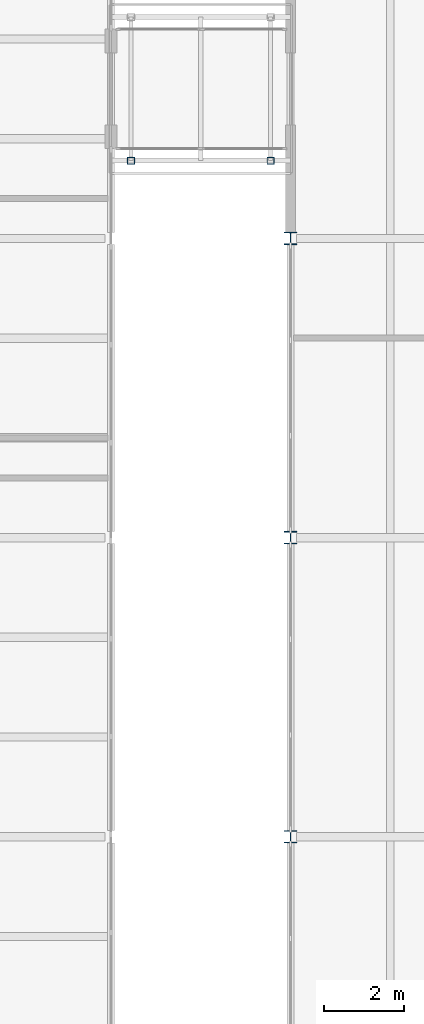
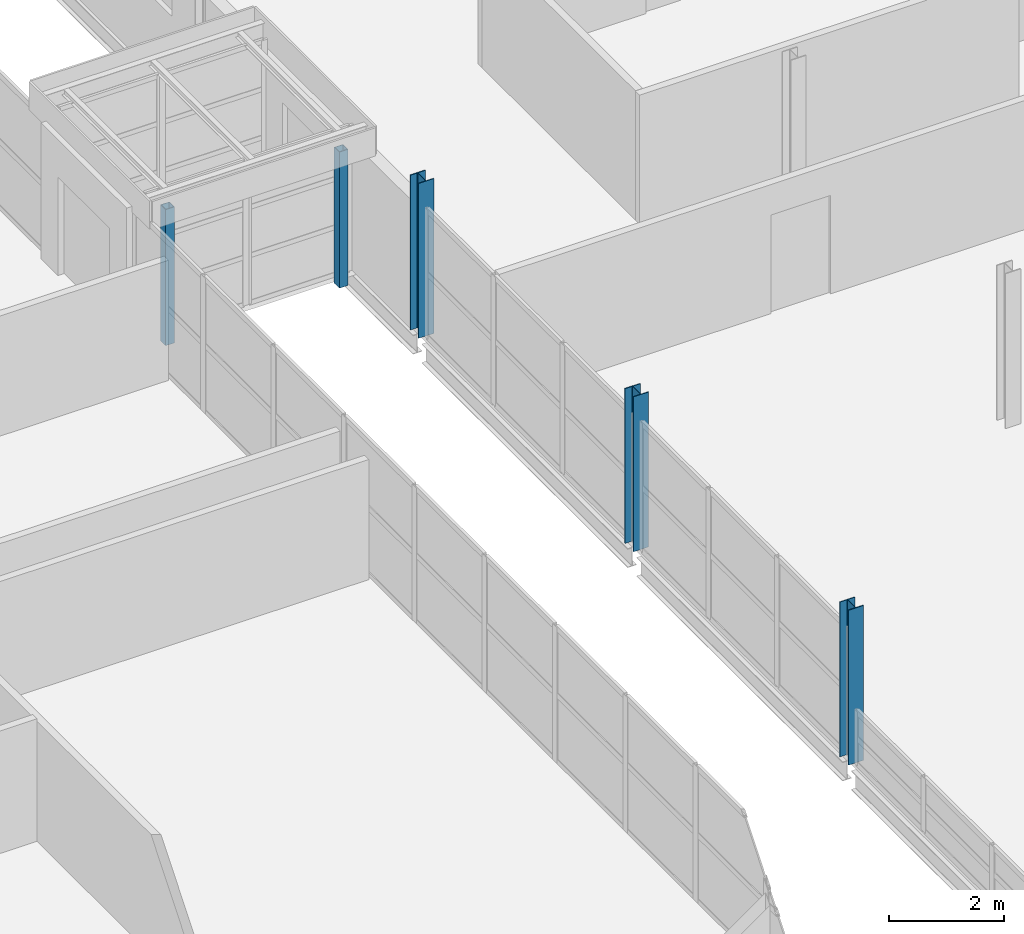
# One storey, part 7 of 214: 5 columns.
"""IFC4 building model written with IfcOpenShell, lengths in metres."""

from ifc_helpers import new_model, si_unit, direction, frame, origin, origin_2d, place, context, subcontext, project, spatial, hollow_rectangle, i_section, extrude, material, material_profile, profile_set, type_object, element, save


model = new_model("IFC4")

# Units and contexts
model_context = context("Model", 3, precision=1e-05, world=origin(), true_north=direction((0.0, 1.0)))
body_context = subcontext(model_context, "Body", "Model", "MODEL_VIEW")
ifc_project = project(units=[si_unit("LENGTHUNIT", "METRE"), si_unit("AREAUNIT", "SQUARE_METRE"), si_unit("VOLUMEUNIT", "CUBIC_METRE"), si_unit("PLANEANGLEUNIT", "RADIAN"), si_unit("MASSUNIT", "GRAM", prefix="KILO")], contexts=[model_context])

# Site, building, storey
site_placement = place(None, origin())
site = spatial("IfcSite", under=ifc_project, at=site_placement, CompositionType="ELEMENT")
building_placement = place(site_placement, origin())
building = spatial("IfcBuilding", under=site, at=building_placement, Name="Parallax Yard Mobility Hub", CompositionType="ELEMENT")
storey_placement = place(building_placement, frame((0.0, 0.0, 3.300048828125)))
storey = spatial("IfcBuildingStorey", under=building, at=storey_placement, Name="L01", CompositionType="ELEMENT", Elevation=3.300048828125)

# Columns
ifc_material_1 = material(Name="Steel ASTM A500 Gr C", Category="steel")
ifc_material_profile_1 = material_profile(ifc_material_1, hollow_rectangle(XDim=0.177734375, YDim=0.177734375, WallThickness=0.009521484375, at=origin_2d()), Name="HSS178x178x9.5")
ifc_profile_set_1 = profile_set([ifc_material_profile_1], Name="Steel ASTM A500 Gr C")
column_type_1 = type_object("IfcColumnType", Name="Roof column HSS178x178x9.5", PredefinedType="COLUMN", material=ifc_profile_set_1)
for number, where, z_axis, x_axis, name in (
    (1, (93.5, 31.949951171875, 0.0), (0.0, 0.0, 1.0), (1.0, 0.0, 0.0), "Bridge BR1 level L01 roof pier 1 at y 31.95 level L01"),
    (2, (97.0, 31.949951171875, 0.0), (0.0, 0.0, 1.0), (1.0, 0.0, 0.0), "Bridge BR1 level L01 roof pier 2 at y 31.95 level L01"),
):
    element("IfcColumn", number, at=place(storey_placement, frame(where, z_axis=z_axis, x_axis=x_axis)), inside=storey, type_object=column_type_1, Name=name, PredefinedType="COLUMN", context=body_context, shape_type="SweptSolid", body=[
        extrude(hollow_rectangle(XDim=0.177734375, YDim=0.177734375, WallThickness=0.009521484375, at=origin_2d()), origin(), (0.0, 0.0, 1.0), 2.89990234375),
    ])
ifc_material_2 = material(Name="Steel ASTM A992", Category="steel")
ifc_material_profile_2 = material_profile(ifc_material_2, i_section(OverallWidth=0.304931640625, OverallDepth=0.306884765625, WebThickness=0.010009765625, FlangeThickness=0.015380859375, FilletRadius=0.01513671875, at=origin_2d()), Name="W310x97")
ifc_profile_set_2 = profile_set([ifc_material_profile_2], Name="Steel ASTM A992")
column_type_2 = type_object("IfcColumnType", Name="W310x97 column", PredefinedType="COLUMN", material=ifc_profile_set_2)
for number, where, z_axis, x_axis, name in (
    (3, (97.5, 15.0, 0.0), (0.0, 0.0, 1.0), (1.0, 0.0, 0.0), "Column C1 level L01 at C/14 of mobility service centre and workshops"),
    (4, (97.5, 22.5, 0.0), (0.0, 0.0, 1.0), (1.0, 0.0, 0.0), "Column C1 level L01 at D/14 of mobility service centre and workshops"),
    (5, (97.5, 30.0, 0.0), (0.0, 0.0, 1.0), (1.0, 0.0, 0.0), "Column C1 level L01 at E/14 of mobility service centre and workshops"),
):
    element("IfcColumn", number, at=place(storey_placement, frame(where, z_axis=z_axis, x_axis=x_axis)), inside=storey, type_object=column_type_2, Name=name, PredefinedType="COLUMN", context=body_context, shape_type="SweptSolid", body=[
        extrude(i_section(OverallWidth=0.304931640625, OverallDepth=0.306884765625, WebThickness=0.010009765625, FlangeThickness=0.015380859375, FilletRadius=0.01513671875, at=origin_2d()), origin(), (0.0, 0.0, 1.0), 3.300048828125),
    ])

save(model, "model.ifc")
